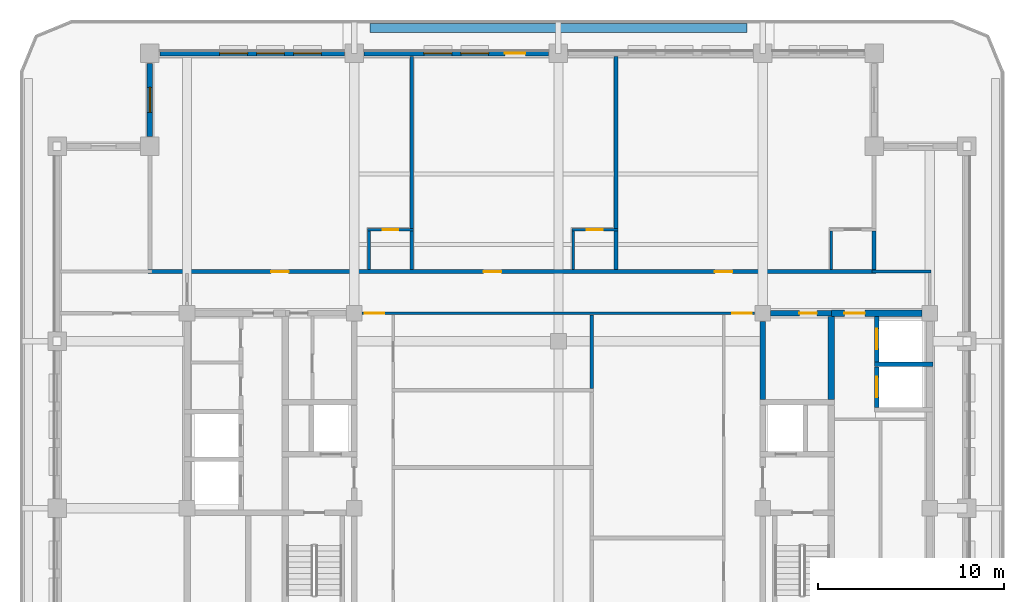
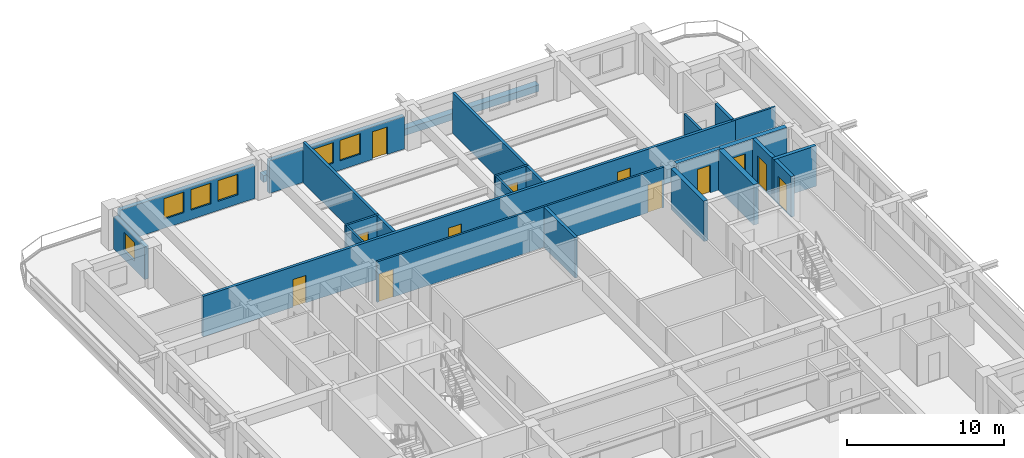
# One storey, part 6 of 14: 25 walls, 12 doors, 6 windows, 18 openings.
"""IFC4 building model written with IfcOpenShell, lengths in metres."""

from ifc_helpers import new_model, si_unit, direction, frame, frame_2d, origin, place, context, subcontext, project, spatial, rectangle, extrude, material, layer, layer_set, type_object, element, fill, save


model = new_model("IFC4")

# Units and contexts
model_context = context("Model", 3, precision=1e-05, world=origin(), true_north=direction((0.0, 1.0)))
body_context = subcontext(model_context, "Body", "Model", "MODEL_VIEW")
ifc_project = project(units=[si_unit("LENGTHUNIT", "METRE"), si_unit("AREAUNIT", "SQUARE_METRE"), si_unit("VOLUMEUNIT", "CUBIC_METRE"), si_unit("PLANEANGLEUNIT", "RADIAN"), si_unit("MASSUNIT", "GRAM", prefix="KILO")], contexts=[model_context])

# Site, building, storey
site_placement = place(None, origin())
site = spatial("IfcSite", under=ifc_project, at=site_placement, CompositionType="ELEMENT")
building_placement = place(site_placement, origin())
building = spatial("IfcBuilding", under=site, at=building_placement, Name="Zulmaris Gate Convention Tower", CompositionType="ELEMENT")
storey_placement = place(building_placement, frame((0.0, 0.0, 198.260009765625)))
storey = spatial("IfcBuildingStorey", under=building, at=storey_placement, Name="L51", CompositionType="ELEMENT", Elevation=198.260009765625)

# Wall
ifc_material_1 = material(Name="Concrete C50/60", Category="concrete")
ifc_layer_1 = layer(ifc_material_1, 0.25, Name="Concrete C50/60")
ifc_layer_set_1 = layer_set([ifc_layer_1], Name="Concrete C50/60")
wall_type_1 = type_object("IfcWallType", Name="CORE-250", PredefinedType="SOLIDWALL", material=ifc_layer_set_1)
wall_1_placement = place(storey_placement, frame((17.02490234375, 7.75, 0.0), z_axis=(0.0, 0.0, 1.0), x_axis=(1.0, 0.0, 0.0)))
element("IfcWall", 1, at=wall_1_placement, inside=storey, type_object=wall_type_1, Name="WL-L51-014", PredefinedType="SOLIDWALL", context=body_context, shape_type="SweptSolid", body=[
    extrude(rectangle(XDim=3.150146484375, YDim=0.25, at=frame_2d((1.5751953125, 0.0))), origin(), (0.0, 0.0, 1.0), 3.14990234375),
])

# Wall, opening, door
wall_2_placement = place(storey_placement, frame((17.14990234375, 5.427001953125, 0.0), z_axis=(0.0, 0.0, 1.0), x_axis=(0.0, 1.0, 0.0)))
wall_2 = element("IfcWall", 2, at=wall_2_placement, inside=storey, type_object=wall_type_1, Name="WL-L51-068", PredefinedType="SOLIDWALL", context=body_context, shape_type="SweptSolid", body=[
    extrude(rectangle(XDim=2.196044921875, YDim=0.25, at=frame_2d((1.09814453125, 0.0))), origin(), (0.0, 0.0, 1.0), 3.14990234375),
])
opening_1_placement = place(wall_2_placement, frame((0.548095703125, 0.0, 0.0)))
opening_1 = element("IfcOpeningElement", 3, at=opening_1_placement, cuts=wall_2, Name="Opening D-06", PredefinedType="OPENING", context=body_context, shape_type="SweptSolid", body=[
    extrude(rectangle(XDim=1.10009765625, YDim=2.199951171875, at=frame_2d((0.550048828125, 1.10009765625))), frame((0.0, 0.135009765625, 0.0), z_axis=(0.0, -1.0, 0.0), x_axis=(1.0, 0.0, 0.0)), (0.0, 0.0, 1.0), 0.27001953125),
])
ifc_material_2 = material(Name="Brushed Stainless Steel", Category="steel")
door_type_1 = type_object("IfcDoorType", Name="LD-1100", OperationType="NOTDEFINED", PredefinedType="DOOR", material=ifc_material_2)
door_1_placement = place(opening_1_placement, origin())
door_1 = element("IfcDoor", 4, at=door_1_placement, inside=storey, type_object=door_type_1, Name="L51 Lift Landing Door HP-01 16", OperationType="SLIDING_TO_RIGHT", OverallHeight=2.199951171875, OverallWidth=1.10009765625, PredefinedType="DOOR", context=body_context, shape_type="SweptSolid", body=[
    extrude(rectangle(XDim=1.10009765625, YDim=2.199951171875, at=frame_2d((0.550048828125, 1.10009765625))), frame((0.0, 0.02490234375, 0.0), z_axis=(0.0, -1.0, 0.0), x_axis=(1.0, 0.0, 0.0)), (0.0, 0.0, 1.0), 0.050048828125),
])
fill(opening_1, door_1)

wall_3_placement = place(storey_placement, frame((17.14990234375, 7.876953125, 0.0), z_axis=(0.0, 0.0, 1.0), x_axis=(0.0, 1.0, 0.0)))
wall_3 = element("IfcWall", 5, at=wall_3_placement, inside=storey, type_object=wall_type_1, Name="WL-L51-069", PredefinedType="SOLIDWALL", context=body_context, shape_type="SweptSolid", body=[
    extrude(rectangle(XDim=2.446044921875, YDim=0.25, at=frame_2d((1.22314453125, 0.0))), origin(), (0.0, 0.0, 1.0), 3.14990234375),
])
opening_2_placement = place(wall_3_placement, frame((0.697998046875, 0.0, 0.0)))
opening_2 = element("IfcOpeningElement", 6, at=opening_2_placement, cuts=wall_3, Name="Opening D-06", PredefinedType="OPENING", context=body_context, shape_type="SweptSolid", body=[
    extrude(rectangle(XDim=1.10009765625, YDim=2.199951171875, at=frame_2d((0.550048828125, 1.10009765625))), frame((0.0, 0.135009765625, 0.0), z_axis=(0.0, -1.0, 0.0), x_axis=(1.0, 0.0, 0.0)), (0.0, 0.0, 1.0), 0.27001953125),
])
door_2_placement = place(opening_2_placement, origin())
door_2 = element("IfcDoor", 7, at=door_2_placement, inside=storey, type_object=door_type_1, Name="L51 Lift Landing Door HP-02 17", OperationType="SLIDING_TO_RIGHT", OverallHeight=2.199951171875, OverallWidth=1.10009765625, PredefinedType="DOOR", context=body_context, shape_type="SweptSolid", body=[
    extrude(rectangle(XDim=1.10009765625, YDim=2.199951171875, at=frame_2d((0.550048828125, 1.10009765625))), frame((0.0, 0.02490234375, 0.0), z_axis=(0.0, -1.0, 0.0), x_axis=(1.0, 0.0, 0.0)), (0.0, 0.0, 1.0), 0.050048828125),
])
fill(opening_2, door_2)

ifc_layer_2 = layer(ifc_material_1, 0.300048828125, Name="Concrete C50/60")
ifc_layer_set_2 = layer_set([ifc_layer_2], Name="Concrete C50/60")
wall_type_2 = type_object("IfcWallType", Name="CORE-300", PredefinedType="SHEAR", material=ifc_layer_set_2)
wall_4_placement = place(storey_placement, frame((11.428955078125, 10.5, 0.0), z_axis=(0.0, 0.0, 1.0), x_axis=(1.0, 0.0, 0.0)))
wall_4 = element("IfcWall", 8, at=wall_4_placement, inside=storey, type_object=wall_type_2, Name="WL-L51-017", PredefinedType="SHEAR", context=body_context, shape_type="SweptSolid", body=[
    extrude(rectangle(XDim=3.27099609375, YDim=0.300048828125, at=frame_2d((1.635498046875, 0.0))), origin(), (0.0, 0.0, 1.0), 3.14990234375),
])
opening_3_placement = place(wall_4_placement, frame((1.5458984375, 0.0, 0.0)))
opening_3 = element("IfcOpeningElement", 9, at=opening_3_placement, cuts=wall_4, Name="Opening D-11", PredefinedType="OPENING", context=body_context, shape_type="SweptSolid", body=[
    extrude(rectangle(XDim=0.949951171875, YDim=2.14990234375, at=frame_2d((0.47509765625, 1.074951171875))), frame((0.0, 0.16015625, 0.0), z_axis=(0.0, -1.0, 0.0), x_axis=(1.0, 0.0, 0.0)), (0.0, 0.0, 1.0), 0.320068359375),
])
ifc_material_3 = material(Name="Fire-Rated Timber", Category="wood")
door_type_2 = type_object("IfcDoorType", Name="DR-950-FD", OperationType="NOTDEFINED", PredefinedType="DOOR", material=ifc_material_3)
door_3_placement = place(opening_3_placement, origin())
door_3 = element("IfcDoor", 10, at=door_3_placement, inside=storey, type_object=door_type_2, Name="L51 Core Tea Pantry Door 09", OperationType="SINGLE_SWING_RIGHT", OverallHeight=2.14990234375, OverallWidth=0.949951171875, PredefinedType="DOOR", context=body_context, shape_type="SweptSolid", body=[
    extrude(rectangle(XDim=0.949951171875, YDim=2.14990234375, at=frame_2d((0.47509765625, 1.074951171875))), frame((0.0, 0.02490234375, 0.0), z_axis=(0.0, -1.0, 0.0), x_axis=(1.0, 0.0, 0.0)), (0.0, 0.0, 1.0), 0.050048828125),
])
fill(opening_3, door_3)

# Wall
wall_5_placement = place(storey_placement, frame((11.0, 5.85205078125, 0.0), z_axis=(0.0, 0.0, 1.0), x_axis=(0.0, 1.0, 0.0)))
element("IfcWall", 11, at=wall_5_placement, inside=storey, type_object=wall_type_2, Name="WL-L51-061", PredefinedType="SHEAR", context=body_context, shape_type="SweptSolid", body=[
    extrude(rectangle(XDim=4.218994140625, YDim=0.300048828125, at=frame_2d((2.109375, 0.0))), origin(), (0.0, 0.0, 1.0), 3.14990234375),
])

# Wall, opening, door
ifc_material_4 = material(Name="Concrete C55/67", Category="concrete")
ifc_layer_3 = layer(ifc_material_4, 0.35009765625, Name="Concrete C55/67")
ifc_layer_set_3 = layer_set([ifc_layer_3], Name="Concrete C55/67")
wall_type_3 = type_object("IfcWallType", Name="CORE-350", PredefinedType="SHEAR", material=ifc_layer_set_3)
wall_6_placement = place(storey_placement, frame((14.699951171875, 10.5, 0.0), z_axis=(0.0, 0.0, 1.0), x_axis=(1.0, 0.0, 0.0)))
wall_6 = element("IfcWall", 12, at=wall_6_placement, inside=storey, type_object=wall_type_3, Name="WL-L51-018", PredefinedType="SHEAR", context=body_context, shape_type="SweptSolid", body=[
    extrude(rectangle(XDim=4.87109375, YDim=0.35009765625, at=frame_2d((2.435546875, 0.0))), origin(), (0.0, 0.0, 1.0), 3.14990234375),
])
opening_4_placement = place(wall_6_placement, frame((0.699951171875, 0.0, 0.0)))
opening_4 = element("IfcOpeningElement", 13, at=opening_4_placement, cuts=wall_6, Name="Opening D-08", PredefinedType="OPENING", context=body_context, shape_type="SweptSolid", body=[
    extrude(rectangle(XDim=1.10009765625, YDim=2.14990234375, at=frame_2d((0.550048828125, 1.074951171875))), frame((0.0, 0.18505859375, 0.0), z_axis=(0.0, -1.0, 0.0), x_axis=(1.0, 0.0, 0.0)), (0.0, 0.0, 1.0), 0.3701171875),
])
ifc_material_5 = material(Name="Fire-Rated Steel", Category="steel")
door_type_3 = type_object("IfcDoorType", Name="DR-1100-FD", OperationType="NOTDEFINED", PredefinedType="DOOR", material=ifc_material_5)
door_4_placement = place(opening_4_placement, origin())
door_4 = element("IfcDoor", 14, at=door_4_placement, inside=storey, type_object=door_type_3, Name="L51 High-Rise East Lift Lobby Door 18", OperationType="SINGLE_SWING_LEFT", OverallHeight=2.14990234375, OverallWidth=1.10009765625, PredefinedType="DOOR", context=body_context, shape_type="SweptSolid", body=[
    extrude(rectangle(XDim=1.10009765625, YDim=2.14990234375, at=frame_2d((0.550048828125, 1.074951171875))), frame((0.0, 0.02490234375, 0.0), z_axis=(0.0, -1.0, 0.0), x_axis=(1.0, 0.0, 0.0)), (0.0, 0.0, 1.0), 0.050048828125),
])
fill(opening_4, door_4)

# Wall
wall_7_placement = place(storey_placement, frame((14.699951171875, 5.85205078125, 0.0), z_axis=(0.0, 0.0, 1.0), x_axis=(0.0, 1.0, 0.0)))
element("IfcWall", 15, at=wall_7_placement, inside=storey, type_object=wall_type_3, Name="WL-L51-067", PredefinedType="SHEAR", context=body_context, shape_type="SweptSolid", body=[
    extrude(rectangle(XDim=4.470947265625, YDim=0.35009765625, at=frame_2d((2.2353515625, 0.0))), origin(), (0.0, 0.0, 1.0), 3.14990234375),
])

# Wall, openings, doors
ifc_material_6 = material(Name="Gypsum Metal Stud Partition")
ifc_layer_4 = layer(ifc_material_6, 0.14990234375, Name="Gypsum Metal Stud Partition")
ifc_layer_set_4 = layer_set([ifc_layer_4], Name="Gypsum Metal Stud Partition")
wall_type_4 = type_object("IfcWallType", Name="PART-150", PredefinedType="PARTITIONING", material=ifc_layer_set_4)
wall_8_placement = place(storey_placement, frame((-10.569091796875, 10.5, 0.0), z_axis=(0.0, 0.0, 1.0), x_axis=(1.0, 0.0, 0.0)))
wall_8 = element("IfcWall", 16, at=wall_8_placement, inside=storey, type_object=wall_type_4, Name="WL-L51-034", PredefinedType="PARTITIONING", context=body_context, shape_type="SweptSolid", body=[
    extrude(rectangle(XDim=21.13818359375, YDim=0.14990234375, at=frame_2d((10.569091796875, 0.0))), origin(), (0.0, 0.0, 1.0), 3.14990234375),
])
opening_5_placement = place(wall_8_placement, frame((0.14990234375, 0.0, 0.0)))
opening_5 = element("IfcOpeningElement", 17, at=opening_5_placement, cuts=wall_8, Name="Opening D-09", PredefinedType="OPENING", context=body_context, shape_type="SweptSolid", body=[
    extrude(rectangle(XDim=1.050048828125, YDim=2.14990234375, at=frame_2d((0.52490234375, 1.074951171875))), frame((0.0, 0.0849609375, 0.0), z_axis=(0.0, -1.0, 0.0), x_axis=(1.0, 0.0, 0.0)), (0.0, 0.0, 1.0), 0.169921875),
])
opening_6_placement = place(wall_8_placement, frame((19.93798828125, 0.0, 0.0)))
opening_6 = element("IfcOpeningElement", 18, at=opening_6_placement, cuts=wall_8, Name="Opening D-09", PredefinedType="OPENING", context=body_context, shape_type="SweptSolid", body=[
    extrude(rectangle(XDim=1.050048828125, YDim=2.14990234375, at=frame_2d((0.52490234375, 1.074951171875))), frame((0.0, 0.0849609375, 0.0), z_axis=(0.0, -1.0, 0.0), x_axis=(1.0, 0.0, 0.0)), (0.0, 0.0, 1.0), 0.169921875),
])
door_type_4 = type_object("IfcDoorType", Name="DR-1050-FD", OperationType="NOTDEFINED", PredefinedType="DOOR", material=ifc_material_5)
door_5_placement = place(opening_5_placement, origin())
door_5 = element("IfcDoor", 19, at=door_5_placement, inside=storey, type_object=door_type_4, Name="L51 NW Hotel Loop Door 21", OperationType="SINGLE_SWING_RIGHT", OverallHeight=2.14990234375, OverallWidth=1.050048828125, PredefinedType="DOOR", context=body_context, shape_type="SweptSolid", body=[
    extrude(rectangle(XDim=1.050048828125, YDim=2.14990234375, at=frame_2d((0.52490234375, 1.074951171875))), frame((0.0, 0.02490234375, 0.0), z_axis=(0.0, -1.0, 0.0), x_axis=(1.0, 0.0, 0.0)), (0.0, 0.0, 1.0), 0.050048828125),
])
fill(opening_5, door_5)
door_6_placement = place(opening_6_placement, origin())
door_6 = element("IfcDoor", 20, at=door_6_placement, inside=storey, type_object=door_type_4, Name="L51 NE Hotel Loop Door 23", OperationType="SINGLE_SWING_RIGHT", OverallHeight=2.14990234375, OverallWidth=1.050048828125, PredefinedType="DOOR", context=body_context, shape_type="SweptSolid", body=[
    extrude(rectangle(XDim=1.050048828125, YDim=2.14990234375, at=frame_2d((0.52490234375, 1.074951171875))), frame((0.0, 0.02490234375, 0.0), z_axis=(0.0, -1.0, 0.0), x_axis=(1.0, 0.0, 0.0)), (0.0, 0.0, 1.0), 0.050048828125),
])
fill(opening_6, door_6)

# Wall
wall_9_placement = place(storey_placement, frame((16.89990234375, 12.75, 0.0), z_axis=(0.0, 0.0, 1.0), x_axis=(1.0, 0.0, 0.0)))
element("IfcWall", 21, at=wall_9_placement, inside=storey, type_object=wall_type_4, Name="WL-L51-037", PredefinedType="PARTITIONING", context=body_context, shape_type="SweptSolid", body=[
    extrude(rectangle(XDim=3.175048828125, YDim=0.14990234375, at=frame_2d((1.58740234375, 0.0))), origin(), (0.0, 0.0, 1.0), 3.14990234375),
])

# Wall, opening, door
wall_10_placement = place(storey_placement, frame((-10.27490234375, 15.0, 0.0), z_axis=(0.0, 0.0, 1.0), x_axis=(1.0, 0.0, 0.0)))
wall_10 = element("IfcWall", 22, at=wall_10_placement, inside=storey, type_object=wall_type_4, Name="WL-L51-038", PredefinedType="PARTITIONING", context=body_context, shape_type="SweptSolid", body=[
    extrude(rectangle(XDim=2.474853515625, YDim=0.14990234375, at=frame_2d((1.2373046875, 0.0))), origin(), (0.0, 0.0, 1.0), 3.14990234375),
])
opening_7_placement = place(wall_10_placement, frame((0.800048828125, 0.0, 0.0)))
opening_7 = element("IfcOpeningElement", 23, at=opening_7_placement, cuts=wall_10, Name="Opening D-17", PredefinedType="OPENING", context=body_context, shape_type="SweptSolid", body=[
    extrude(rectangle(XDim=0.85009765625, YDim=2.10009765625, at=frame_2d((0.425048828125, 1.050048828125))), frame((0.0, 0.0849609375, 0.0), z_axis=(0.0, -1.0, 0.0), x_axis=(1.0, 0.0, 0.0)), (0.0, 0.0, 1.0), 0.169921875),
])
ifc_material_7 = material(Name="Moisture-Resistant Hardwood Timber", Category="wood")
door_type_5 = type_object("IfcDoorType", Name="DR-850", OperationType="NOTDEFINED", PredefinedType="DOOR", material=ifc_material_7)
door_7_placement = place(opening_7_placement, origin())
door_7 = element("IfcDoor", 24, at=door_7_placement, inside=storey, type_object=door_type_5, Name="L51 En-Suite Door 26", OperationType="SINGLE_SWING_LEFT", OverallHeight=2.10009765625, OverallWidth=0.85009765625, PredefinedType="DOOR", context=body_context, shape_type="SweptSolid", body=[
    extrude(rectangle(XDim=0.85009765625, YDim=2.10009765625, at=frame_2d((0.425048828125, 1.050048828125))), frame((0.0, 0.02490234375, 0.0), z_axis=(0.0, -1.0, 0.0), x_axis=(1.0, 0.0, 0.0)), (0.0, 0.0, 1.0), 0.050048828125),
])
fill(opening_7, door_7)

wall_11_placement = place(storey_placement, frame((0.72509765625, 15.0, 0.0), z_axis=(0.0, 0.0, 1.0), x_axis=(1.0, 0.0, 0.0)))
wall_11 = element("IfcWall", 25, at=wall_11_placement, inside=storey, type_object=wall_type_4, Name="WL-L51-039", PredefinedType="PARTITIONING", context=body_context, shape_type="SweptSolid", body=[
    extrude(rectangle(XDim=2.474853515625, YDim=0.14990234375, at=frame_2d((1.2373046875, 0.0))), origin(), (0.0, 0.0, 1.0), 3.14990234375),
])
opening_8_placement = place(wall_11_placement, frame((0.800048828125, 0.0, 0.0)))
opening_8 = element("IfcOpeningElement", 26, at=opening_8_placement, cuts=wall_11, Name="Opening D-17", PredefinedType="OPENING", context=body_context, shape_type="SweptSolid", body=[
    extrude(rectangle(XDim=0.85009765625, YDim=2.10009765625, at=frame_2d((0.425048828125, 1.050048828125))), frame((0.0, 0.0849609375, 0.0), z_axis=(0.0, -1.0, 0.0), x_axis=(1.0, 0.0, 0.0)), (0.0, 0.0, 1.0), 0.169921875),
])
door_8_placement = place(opening_8_placement, origin())
door_8 = element("IfcDoor", 27, at=door_8_placement, inside=storey, type_object=door_type_5, Name="L51 En-Suite Door 28", OperationType="SINGLE_SWING_LEFT", OverallHeight=2.10009765625, OverallWidth=0.85009765625, PredefinedType="DOOR", context=body_context, shape_type="SweptSolid", body=[
    extrude(rectangle(XDim=0.85009765625, YDim=2.10009765625, at=frame_2d((0.425048828125, 1.050048828125))), frame((0.0, 0.02490234375, 0.0), z_axis=(0.0, -1.0, 0.0), x_axis=(1.0, 0.0, 0.0)), (0.0, 0.0, 1.0), 0.050048828125),
])
fill(opening_8, door_8)

# Walls
for number, where, z_axis, x_axis, name in (
    (28, (-10.199951171875, 12.85302734375, 0.0), (0.0, 0.0, 1.0), (0.0, 1.0, 0.0), "WL-L51-083"),
    (29, (0.800048828125, 12.85302734375, 0.0), (0.0, 0.0, 1.0), (0.0, 1.0, 0.0), "WL-L51-092"),
    (30, (14.699951171875, 12.85302734375, 0.0), (0.0, 0.0, 1.0), (0.0, 1.0, 0.0), "WL-L51-108"),
):
    element("IfcWall", number, at=place(storey_placement, frame(where, z_axis=z_axis, x_axis=x_axis)), inside=storey, type_object=wall_type_4, Name=name, PredefinedType="PARTITIONING", context=body_context, shape_type="SweptSolid", body=[
        extrude(rectangle(XDim=2.069091796875, YDim=0.14990234375, at=frame_2d((1.03466796875, 0.0))), origin(), (0.0, 0.0, 1.0), 3.14990234375),
    ])

# Wall, openings, doors
ifc_material_8 = material(Name="Autoclaved Aerated Concrete Block and Plasterboard", Category="concrete")
ifc_layer_5 = layer(ifc_material_8, 0.199951171875, Name="Autoclaved Aerated Concrete Block and Plasterboard")
ifc_layer_set_5 = layer_set([ifc_layer_5], Name="Autoclaved Aerated Concrete Block and Plasterboard")
wall_type_5 = type_object("IfcWallType", Name="PART-200", PredefinedType="PARTITIONING", material=ifc_layer_set_5)
wall_12_placement = place(storey_placement, frame((-22.10009765625, 12.75, 0.0), z_axis=(0.0, 0.0, 1.0), x_axis=(1.0, 0.0, 0.0)))
wall_12 = element("IfcWall", 31, at=wall_12_placement, inside=storey, type_object=wall_type_5, Name="WL-L51-036", PredefinedType="PARTITIONING", context=body_context, shape_type="SweptSolid", body=[
    extrude(rectangle(XDim=39.2001953125, YDim=0.199951171875, at=frame_2d((19.60009765625, 0.0))), origin(), (0.0, 0.0, 1.0), 3.14990234375),
])
opening_9_placement = place(wall_12_placement, frame((6.625, 0.0, 0.0)))
opening_9 = element("IfcOpeningElement", 32, at=opening_9_placement, cuts=wall_12, Name="Opening D-11", PredefinedType="OPENING", context=body_context, shape_type="SweptSolid", body=[
    extrude(rectangle(XDim=0.949951171875, YDim=2.14990234375, at=frame_2d((0.47509765625, 1.074951171875))), frame((0.0, 0.10986328125, 0.0), z_axis=(0.0, -1.0, 0.0), x_axis=(1.0, 0.0, 0.0)), (0.0, 0.0, 1.0), 0.219970703125),
])
opening_10_placement = place(wall_12_placement, frame((18.074951171875, 0.0, 0.0)))
opening_10 = element("IfcOpeningElement", 33, at=opening_10_placement, cuts=wall_12, Name="Opening D-11", PredefinedType="OPENING", context=body_context, shape_type="SweptSolid", body=[
    extrude(rectangle(XDim=0.949951171875, YDim=2.14990234375, at=frame_2d((0.47509765625, 1.074951171875))), frame((0.0, 0.10986328125, 0.0), z_axis=(0.0, -1.0, 0.0), x_axis=(1.0, 0.0, 0.0)), (0.0, 0.0, 1.0), 0.219970703125),
])
opening_11_placement = place(wall_12_placement, frame((30.52490234375, 0.0, 0.0)))
opening_11 = element("IfcOpeningElement", 34, at=opening_11_placement, cuts=wall_12, Name="Opening D-11", PredefinedType="OPENING", context=body_context, shape_type="SweptSolid", body=[
    extrude(rectangle(XDim=0.949951171875, YDim=2.14990234375, at=frame_2d((0.47509765625, 1.074951171875))), frame((0.0, 0.10986328125, 0.0), z_axis=(0.0, -1.0, 0.0), x_axis=(1.0, 0.0, 0.0)), (0.0, 0.0, 1.0), 0.219970703125),
])
door_9_placement = place(opening_9_placement, origin())
door_9 = element("IfcDoor", 35, at=door_9_placement, inside=storey, type_object=door_type_2, Name="L51 Hotel Diplomatic Suite Door 25", OperationType="SINGLE_SWING_RIGHT", OverallHeight=2.14990234375, OverallWidth=0.949951171875, PredefinedType="DOOR", context=body_context, shape_type="SweptSolid", body=[
    extrude(rectangle(XDim=0.949951171875, YDim=2.14990234375, at=frame_2d((0.47509765625, 1.074951171875))), frame((0.0, 0.02490234375, 0.0), z_axis=(0.0, -1.0, 0.0), x_axis=(1.0, 0.0, 0.0)), (0.0, 0.0, 1.0), 0.050048828125),
])
fill(opening_9, door_9)
door_10_placement = place(opening_10_placement, origin())
door_10 = element("IfcDoor", 36, at=door_10_placement, inside=storey, type_object=door_type_2, Name="L51 Hotel Diplomatic Suite Door 27", OperationType="SINGLE_SWING_RIGHT", OverallHeight=2.14990234375, OverallWidth=0.949951171875, PredefinedType="DOOR", context=body_context, shape_type="SweptSolid", body=[
    extrude(rectangle(XDim=0.949951171875, YDim=2.14990234375, at=frame_2d((0.47509765625, 1.074951171875))), frame((0.0, 0.02490234375, 0.0), z_axis=(0.0, -1.0, 0.0), x_axis=(1.0, 0.0, 0.0)), (0.0, 0.0, 1.0), 0.050048828125),
])
fill(opening_10, door_10)
door_11_placement = place(opening_11_placement, origin())
door_11 = element("IfcDoor", 37, at=door_11_placement, inside=storey, type_object=door_type_2, Name="L51 Hotel Diplomatic Suite Door 29", OperationType="SINGLE_SWING_RIGHT", OverallHeight=2.14990234375, OverallWidth=0.949951171875, PredefinedType="DOOR", context=body_context, shape_type="SweptSolid", body=[
    extrude(rectangle(XDim=0.949951171875, YDim=2.14990234375, at=frame_2d((0.47509765625, 1.074951171875))), frame((0.0, 0.02490234375, 0.0), z_axis=(0.0, -1.0, 0.0), x_axis=(1.0, 0.0, 0.0)), (0.0, 0.0, 1.0), 0.050048828125),
])
fill(opening_11, door_11)

# Walls
wall_13_placement = place(storey_placement, frame((-7.89990234375, 12.85302734375, 0.0), z_axis=(0.0, 0.0, 1.0), x_axis=(0.0, 1.0, 0.0)))
element("IfcWall", 38, at=wall_13_placement, inside=storey, type_object=wall_type_5, Name="WL-L51-087", PredefinedType="PARTITIONING", context=body_context, shape_type="SweptSolid", body=[
    extrude(rectangle(XDim=2.069091796875, YDim=0.199951171875, at=frame_2d((1.03466796875, 0.0))), origin(), (0.0, 0.0, 1.0), 3.14990234375),
])
wall_14_placement = place(storey_placement, frame((-7.89990234375, 15.077880859375, 0.0), z_axis=(0.0, 0.0, 1.0), x_axis=(0.0, 1.0, 0.0)))
element("IfcWall", 39, at=wall_14_placement, inside=storey, type_object=wall_type_5, Name="WL-L51-088", PredefinedType="PARTITIONING", context=body_context, shape_type="SweptSolid", body=[
    extrude(rectangle(XDim=9.257080078125, YDim=0.199951171875, at=frame_2d((4.62841796875, 0.0))), origin(), (0.0, 0.0, 1.0), 3.14990234375),
])
wall_15_placement = place(storey_placement, frame((1.800048828125, 6.452880859375, 0.0), z_axis=(0.0, 0.0, 1.0), x_axis=(0.0, 1.0, 0.0)))
element("IfcWall", 40, at=wall_15_placement, inside=storey, type_object=wall_type_5, Name="WL-L51-097", PredefinedType="PARTITIONING", context=body_context, shape_type="SweptSolid", body=[
    extrude(rectangle(XDim=3.96923828125, YDim=0.199951171875, at=frame_2d((1.984619140625, 0.0))), origin(), (0.0, 0.0, 1.0), 3.14990234375),
])
wall_16_placement = place(storey_placement, frame((3.10009765625, 12.85302734375, 0.0), z_axis=(0.0, 0.0, 1.0), x_axis=(0.0, 1.0, 0.0)))
element("IfcWall", 41, at=wall_16_placement, inside=storey, type_object=wall_type_5, Name="WL-L51-098", PredefinedType="PARTITIONING", context=body_context, shape_type="SweptSolid", body=[
    extrude(rectangle(XDim=2.069091796875, YDim=0.199951171875, at=frame_2d((1.03466796875, 0.0))), origin(), (0.0, 0.0, 1.0), 3.14990234375),
])
wall_17_placement = place(storey_placement, frame((3.10009765625, 15.077880859375, 0.0), z_axis=(0.0, 0.0, 1.0), x_axis=(0.0, 1.0, 0.0)))
element("IfcWall", 42, at=wall_17_placement, inside=storey, type_object=wall_type_5, Name="WL-L51-099", PredefinedType="PARTITIONING", context=body_context, shape_type="SweptSolid", body=[
    extrude(rectangle(XDim=9.257080078125, YDim=0.199951171875, at=frame_2d((4.62841796875, 0.0))), origin(), (0.0, 0.0, 1.0), 3.14990234375),
])
wall_18_placement = place(storey_placement, frame((17.0, 12.85302734375, 0.0), z_axis=(0.0, 0.0, 1.0), x_axis=(0.0, 1.0, 0.0)))
element("IfcWall", 43, at=wall_18_placement, inside=storey, type_object=wall_type_5, Name="WL-L51-111", PredefinedType="PARTITIONING", context=body_context, shape_type="SweptSolid", body=[
    extrude(rectangle(XDim=2.069091796875, YDim=0.199951171875, at=frame_2d((1.03466796875, 0.0))), origin(), (0.0, 0.0, 1.0), 3.14990234375),
])
ifc_material_9 = material(Name="Botanical Green Glazed Precast Concrete C40/50", Category="concrete")
ifc_layer_6 = layer(ifc_material_9, 0.419921875, Name="Botanical Green Glazed Precast Concrete C40/50")
ifc_layer_set_6 = layer_set([ifc_layer_6], Name="Botanical Green Glazed Precast Concrete C40/50")
wall_type_6 = type_object("IfcWallType", Name="PLANTER-CURB-200", PredefinedType="PARAPET", material=ifc_layer_set_6)
wall_19_placement = place(storey_placement, frame((-10.14990234375, 25.8798828125, -0.0400390625), z_axis=(0.0, 0.0, 1.0), x_axis=(1.0, 0.0, 0.0)))
element("IfcWall", 44, at=wall_19_placement, inside=storey, type_object=wall_type_6, Name="L51 Full-Length Balcony Tree Planter Trough", PredefinedType="PARAPET", context=body_context, shape_type="SweptSolid", body=[
    extrude(rectangle(XDim=20.2998046875, YDim=0.47998046875, at=frame_2d((10.14990234375, 0.0))), origin(), (0.0, 0.0, 1.0), 0.52001953125),
])

# Wall, opening, window
ifc_material_10 = material(Name="Precast concrete C40/50", Category="concrete")
ifc_layer_7 = layer(ifc_material_10, 0.300048828125, Name="Precast concrete C40/50")
ifc_layer_set_7 = layer_set([ifc_layer_7], Name="Precast concrete C40/50")
wall_type_7 = type_object("IfcWallType", Name="PRECAST-PIER-300", PredefinedType="STANDARD", material=ifc_layer_set_7)
wall_20_placement = place(storey_placement, frame((-22.0, 23.969970703125, 0.0), z_axis=(0.0, 0.0, 1.0), x_axis=(0.0, -1.0, 0.0)))
wall_20 = element("IfcWall", 45, at=wall_20_placement, inside=storey, type_object=wall_type_7, Name="EW-L51-NOTCH-NW1_0", PredefinedType="STANDARD", context=body_context, shape_type="SweptSolid", body=[
    extrude(rectangle(XDim=3.93994140625, YDim=0.300048828125, at=frame_2d((1.969970703125, 0.0))), origin(), (0.0, 0.0, 1.0), 2.5419921875),
])
opening_12_placement = place(wall_20_placement, frame((1.294921875, 0.0, 0.679931640625)))
opening_12 = element("IfcOpeningElement", 46, at=opening_12_placement, cuts=wall_20, Name="Opening W-10", PredefinedType="OPENING", context=body_context, shape_type="SweptSolid", body=[
    extrude(rectangle(XDim=1.35009765625, YDim=1.419921875, at=frame_2d((0.675048828125, 0.7099609375))), frame((0.0, 0.16015625, 0.0), z_axis=(0.0, -1.0, 0.0), x_axis=(1.0, 0.0, 0.0)), (0.0, 0.0, 1.0), 0.320068359375),
])
ifc_material_11 = material(Name="Low-E Laminated Double Glazing in Aluminium Frame", Category="aluminium")
window_type_1 = type_object("IfcWindowType", Name="WIN-1350x2000", PartitioningType="SINGLE_PANEL", PredefinedType="WINDOW", material=ifc_material_11)
window_1_placement = place(opening_12_placement, origin())
window_1 = element("IfcWindow", 47, at=window_1_placement, inside=storey, type_object=window_type_1, Name="WN-EW-L51-NOTCH-NW1_0", OverallHeight=1.419921875, OverallWidth=1.35009765625, PartitioningType="SINGLE_PANEL", PredefinedType="WINDOW", context=body_context, shape_type="SweptSolid", body=[
    extrude(rectangle(XDim=1.35009765625, YDim=1.419921875, at=frame_2d((0.675048828125, 0.7099609375))), frame((0.0, 0.030029296875, 0.0), z_axis=(0.0, -1.0, 0.0), x_axis=(1.0, 0.0, 0.0)), (0.0, 0.0, 1.0), 0.06005859375),
])
fill(opening_12, window_1)

# Wall, openings, windows
wall_21_placement = place(storey_placement, frame((-11.530029296875, 24.5, 0.0), z_axis=(0.0, 0.0, 1.0), x_axis=(-1.0, 0.0, 0.0)))
wall_21 = element("IfcWall", 48, at=wall_21_placement, inside=storey, type_object=wall_type_7, Name="EW-L51-N-0_0", PredefinedType="STANDARD", context=body_context, shape_type="SweptSolid", body=[
    extrude(rectangle(XDim=9.93994140625, YDim=0.300048828125, at=frame_2d((4.969970703125, 0.0))), origin(), (0.0, 0.0, 1.0), 2.5419921875),
])
opening_13_placement = place(wall_21_placement, frame((1.238037109375, 0.0, 0.719970703125)))
opening_13 = element("IfcOpeningElement", 49, at=opening_13_placement, cuts=wall_21, Name="Opening W-03", PredefinedType="OPENING", context=body_context, shape_type="SweptSolid", body=[
    extrude(rectangle(XDim=1.5, YDim=1.60009765625, at=frame_2d((0.75, 0.800048828125))), frame((0.0, 0.16015625, 0.0), z_axis=(0.0, -1.0, 0.0), x_axis=(1.0, 0.0, 0.0)), (0.0, 0.0, 1.0), 0.320068359375),
])
opening_14_placement = place(wall_21_placement, frame((3.22607421875, 0.0, 0.719970703125)))
opening_14 = element("IfcOpeningElement", 50, at=opening_14_placement, cuts=wall_21, Name="Opening W-03", PredefinedType="OPENING", context=body_context, shape_type="SweptSolid", body=[
    extrude(rectangle(XDim=1.5, YDim=1.60009765625, at=frame_2d((0.75, 0.800048828125))), frame((0.0, 0.16015625, 0.0), z_axis=(0.0, -1.0, 0.0), x_axis=(1.0, 0.0, 0.0)), (0.0, 0.0, 1.0), 0.320068359375),
])
opening_15_placement = place(wall_21_placement, frame((5.214111328125, 0.0, 0.719970703125)))
opening_15 = element("IfcOpeningElement", 51, at=opening_15_placement, cuts=wall_21, Name="Opening W-03", PredefinedType="OPENING", context=body_context, shape_type="SweptSolid", body=[
    extrude(rectangle(XDim=1.5, YDim=1.60009765625, at=frame_2d((0.75, 0.800048828125))), frame((0.0, 0.16015625, 0.0), z_axis=(0.0, -1.0, 0.0), x_axis=(1.0, 0.0, 0.0)), (0.0, 0.0, 1.0), 0.320068359375),
])
window_type_2 = type_object("IfcWindowType", Name="WIN-1500x2100", PartitioningType="SINGLE_PANEL", PredefinedType="WINDOW", material=ifc_material_11)
window_2_placement = place(opening_13_placement, origin())
window_2 = element("IfcWindow", 52, at=window_2_placement, inside=storey, type_object=window_type_2, Name="WN-EW-L51-N-0_0-1", OverallHeight=1.60009765625, OverallWidth=1.5, PartitioningType="SINGLE_PANEL", PredefinedType="WINDOW", context=body_context, shape_type="SweptSolid", body=[
    extrude(rectangle(XDim=1.5, YDim=1.60009765625, at=frame_2d((0.75, 0.800048828125))), frame((0.0, 0.030029296875, 0.0), z_axis=(0.0, -1.0, 0.0), x_axis=(1.0, 0.0, 0.0)), (0.0, 0.0, 1.0), 0.06005859375),
])
fill(opening_13, window_2)
window_3_placement = place(opening_14_placement, origin())
window_3 = element("IfcWindow", 53, at=window_3_placement, inside=storey, type_object=window_type_2, Name="WN-EW-L51-N-0_0-2", OverallHeight=1.60009765625, OverallWidth=1.5, PartitioningType="SINGLE_PANEL", PredefinedType="WINDOW", context=body_context, shape_type="SweptSolid", body=[
    extrude(rectangle(XDim=1.5, YDim=1.60009765625, at=frame_2d((0.75, 0.800048828125))), frame((0.0, 0.030029296875, 0.0), z_axis=(0.0, -1.0, 0.0), x_axis=(1.0, 0.0, 0.0)), (0.0, 0.0, 1.0), 0.06005859375),
])
fill(opening_14, window_3)
window_4_placement = place(opening_15_placement, origin())
window_4 = element("IfcWindow", 54, at=window_4_placement, inside=storey, type_object=window_type_2, Name="WN-EW-L51-N-0_0-3", OverallHeight=1.60009765625, OverallWidth=1.5, PartitioningType="SINGLE_PANEL", PredefinedType="WINDOW", context=body_context, shape_type="SweptSolid", body=[
    extrude(rectangle(XDim=1.5, YDim=1.60009765625, at=frame_2d((0.75, 0.800048828125))), frame((0.0, 0.030029296875, 0.0), z_axis=(0.0, -1.0, 0.0), x_axis=(1.0, 0.0, 0.0)), (0.0, 0.0, 1.0), 0.06005859375),
])
fill(opening_15, window_4)

# Wall, openings, door, windows
wall_22_placement = place(storey_placement, frame((-0.530029296875, 24.5, 0.0), z_axis=(0.0, 0.0, 1.0), x_axis=(-1.0, 0.0, 0.0)))
wall_22 = element("IfcWall", 55, at=wall_22_placement, inside=storey, type_object=wall_type_7, Name="EW-L51-N-1_0", PredefinedType="STANDARD", context=body_context, shape_type="SweptSolid", body=[
    extrude(rectangle(XDim=9.93994140625, YDim=0.300048828125, at=frame_2d((4.969970703125, 0.0))), origin(), (0.0, 0.0, 1.0), 2.5419921875),
])
opening_16_placement = place(wall_22_placement, frame((1.2548828125, 0.0, 0.0)))
opening_16 = element("IfcOpeningElement", 56, at=opening_16_placement, cuts=wall_22, Name="Opening D-04", PredefinedType="OPENING", context=body_context, shape_type="SweptSolid", body=[
    extrude(rectangle(XDim=1.10009765625, YDim=2.14990234375, at=frame_2d((0.550048828125, 1.074951171875))), frame((0.0, 0.16015625, 0.0), z_axis=(0.0, -1.0, 0.0), x_axis=(1.0, 0.0, 0.0)), (0.0, 0.0, 1.0), 0.320068359375),
])
opening_17_placement = place(wall_22_placement, frame((3.22607421875, 0.0, 0.719970703125)))
opening_17 = element("IfcOpeningElement", 57, at=opening_17_placement, cuts=wall_22, Name="Opening W-03", PredefinedType="OPENING", context=body_context, shape_type="SweptSolid", body=[
    extrude(rectangle(XDim=1.5, YDim=1.60009765625, at=frame_2d((0.75, 0.800048828125))), frame((0.0, 0.16015625, 0.0), z_axis=(0.0, -1.0, 0.0), x_axis=(1.0, 0.0, 0.0)), (0.0, 0.0, 1.0), 0.320068359375),
])
opening_18_placement = place(wall_22_placement, frame((5.214111328125, 0.0, 0.719970703125)))
opening_18 = element("IfcOpeningElement", 58, at=opening_18_placement, cuts=wall_22, Name="Opening W-03", PredefinedType="OPENING", context=body_context, shape_type="SweptSolid", body=[
    extrude(rectangle(XDim=1.5, YDim=1.60009765625, at=frame_2d((0.75, 0.800048828125))), frame((0.0, 0.16015625, 0.0), z_axis=(0.0, -1.0, 0.0), x_axis=(1.0, 0.0, 0.0)), (0.0, 0.0, 1.0), 0.320068359375),
])
ifc_material_12 = material(Name="Anodised Aluminium and Laminated Glass", Category="aluminium")
door_type_6 = type_object("IfcDoorType", Name="ED-1100", OperationType="SINGLE_SWING_RIGHT", PredefinedType="DOOR", material=ifc_material_12)
door_12_placement = place(opening_16_placement, origin())
door_12 = element("IfcDoor", 59, at=door_12_placement, inside=storey, type_object=door_type_6, Name="L51 N Planted Terrace Door", OperationType="SINGLE_SWING_LEFT", OverallHeight=2.14990234375, OverallWidth=1.10009765625, PredefinedType="DOOR", context=body_context, shape_type="SweptSolid", body=[
    extrude(rectangle(XDim=1.10009765625, YDim=2.14990234375, at=frame_2d((0.550048828125, 1.074951171875))), frame((0.0, 0.02490234375, 0.0), z_axis=(0.0, -1.0, 0.0), x_axis=(1.0, 0.0, 0.0)), (0.0, 0.0, 1.0), 0.050048828125),
])
fill(opening_16, door_12)
window_5_placement = place(opening_17_placement, origin())
window_5 = element("IfcWindow", 60, at=window_5_placement, inside=storey, type_object=window_type_2, Name="WN-EW-L51-N-1_0-2", OverallHeight=1.60009765625, OverallWidth=1.5, PartitioningType="SINGLE_PANEL", PredefinedType="WINDOW", context=body_context, shape_type="SweptSolid", body=[
    extrude(rectangle(XDim=1.5, YDim=1.60009765625, at=frame_2d((0.75, 0.800048828125))), frame((0.0, 0.030029296875, 0.0), z_axis=(0.0, -1.0, 0.0), x_axis=(1.0, 0.0, 0.0)), (0.0, 0.0, 1.0), 0.06005859375),
])
fill(opening_17, window_5)
window_6_placement = place(opening_18_placement, origin())
window_6 = element("IfcWindow", 61, at=window_6_placement, inside=storey, type_object=window_type_2, Name="WN-EW-L51-N-1_0-3", OverallHeight=1.60009765625, OverallWidth=1.5, PartitioningType="SINGLE_PANEL", PredefinedType="WINDOW", context=body_context, shape_type="SweptSolid", body=[
    extrude(rectangle(XDim=1.5, YDim=1.60009765625, at=frame_2d((0.75, 0.800048828125))), frame((0.0, 0.030029296875, 0.0), z_axis=(0.0, -1.0, 0.0), x_axis=(1.0, 0.0, 0.0)), (0.0, 0.0, 1.0), 0.06005859375),
])
fill(opening_18, window_6)

save(model, "model.ifc")
